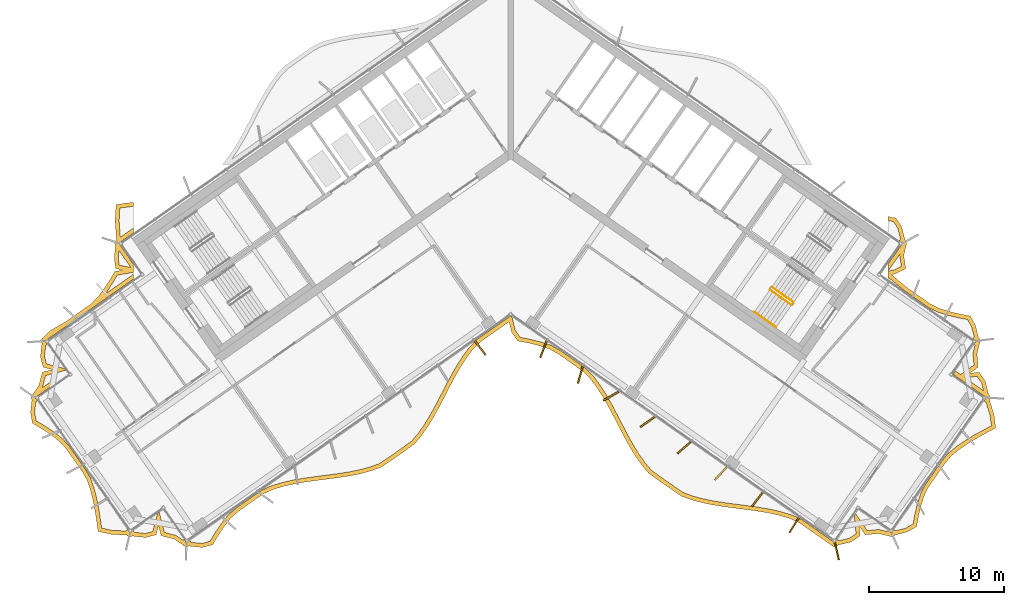
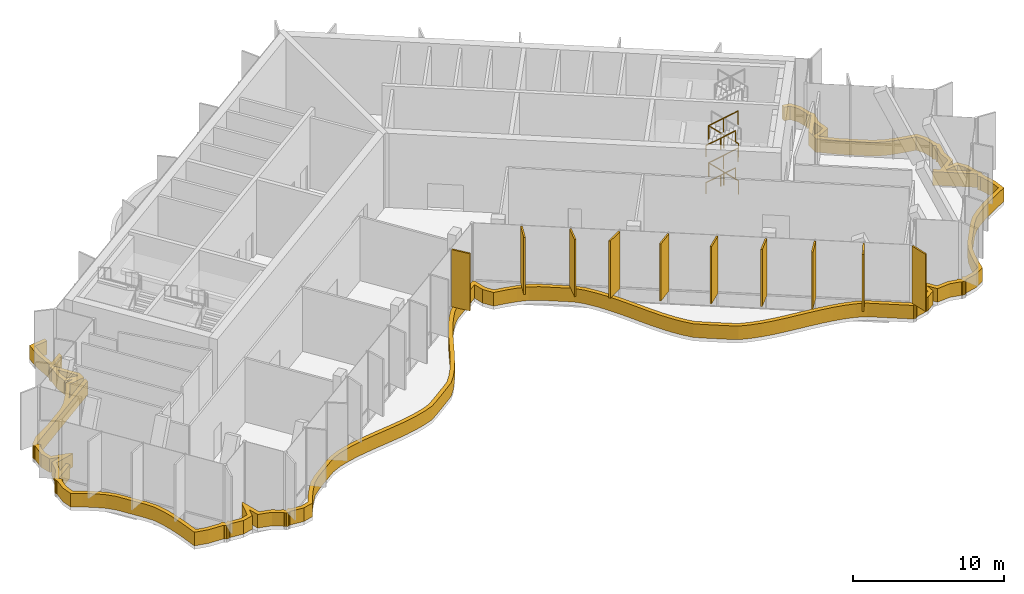
# One storey, part 19 of 22: 11 shading devices, 6 railings.
"""IFC4 building model written with IfcOpenShell, lengths in metres."""

from ifc_helpers import new_model, si_unit, direction, frame, origin, origin_2d, place, context, subcontext, project, spatial, polyline, rectangle, circle, outline, extrude, material, layer, layer_set, type_object, element, save


model = new_model("IFC4")

# Units and contexts
model_context = context("Model", 3, precision=1e-05, world=origin(), true_north=direction((0.0, 1.0)))
body_context = subcontext(model_context, "Body", "Model", "MODEL_VIEW")
ifc_project = project(units=[si_unit("LENGTHUNIT", "METRE"), si_unit("AREAUNIT", "SQUARE_METRE"), si_unit("VOLUMEUNIT", "CUBIC_METRE"), si_unit("PLANEANGLEUNIT", "RADIAN"), si_unit("MASSUNIT", "GRAM", prefix="KILO")], contexts=[model_context])

# Site, building, storey
site_placement = place(None, origin())
site = spatial("IfcSite", under=ifc_project, at=site_placement, CompositionType="ELEMENT")
building_placement = place(site_placement, origin())
building = spatial("IfcBuilding", under=site, at=building_placement, Name="Tel Ilan Convention Tower", CompositionType="ELEMENT")
storey_placement = place(building_placement, frame((0.0, 0.0, 219.39990234375)))
storey = spatial("IfcBuildingStorey", under=building, at=storey_placement, Name="L51", CompositionType="ELEMENT", Elevation=219.39990234375)

# Shading devices
ifc_material_1 = material(Name="Aluminium, bronze anodised", Category="aluminium")
ifc_layer_1 = layer(ifc_material_1, 0.1201171875)
ifc_layer_set_1 = layer_set([ifc_layer_1], Name="FIN BRONZE 1300x120")
shading_device_type_1 = type_object("IfcShadingDeviceType", Name="FIN BRONZE 1300x120", PredefinedType="USERDEFINED", material=ifc_layer_set_1)
for number, where, z_axis, x_axis, name in (
    (1, (-2.262451171875, -15.19775390625, 1.10009765625), (0.0, 0.0, 1.0), (0.612600545196, -0.790392669516, 0.0), "FIN"),
    (2, (2.419921875, -15.2998046875, 1.10009765625), (0.0, 0.0, 1.0), (-0.360177724803, -0.932883704733, 0.0), "FIN"),
    (3, (5.138671875, -17.188232421875, 1.10009765625), (0.0, 0.0, 1.0), (-0.268172612768, -0.963370878614, 0.0), "FIN"),
    (4, (7.408935546875, -18.75537109375, 1.10009765625), (0.0, 0.0, 1.0), (-0.866025403784, -0.5, 0.0), "FIN"),
    (5, (10.108154296875, -20.66796875, 1.10009765625), (0.0, 0.0, 1.0), (-0.813552070258, -0.581492071294, 0.0), "FIN"),
    (6, (12.8125, -22.576904296875, 1.10009765625), (0.0, 0.0, 1.0), (-0.753435896329, -0.657521368568, 0.0), "FIN"),
    (7, (15.521484375, -24.4814453125, 1.10009765625), (0.0, 0.0, 1.0), (-0.686241637865, -0.727373641577, 0.0), "FIN"),
    (8, (18.23486328125, -26.3818359375, 1.10009765625), (0.0, 0.0, 1.0), (-0.612600545196, -0.790392669516, 0.0), "FIN"),
    (9, (20.948486328125, -28.281982421875, 1.10009765625), (0.0, 0.0, 1.0), (-0.533204432798, -0.845986425922, 0.0), "FIN"),
    (10, (24.1025390625, -30.230224609375, 1.10009765625), (0.0, 0.0, 1.0), (0.221170268371, -0.975235208752, 0.0), "FIN"),
):
    element("IfcShadingDevice", number, at=place(storey_placement, frame(where, z_axis=z_axis, x_axis=x_axis)), inside=storey, type_object=shading_device_type_1, Name=name, ObjectType="FIN", PredefinedType="USERDEFINED", context=body_context, shape_type="SweptSolid", body=[
        extrude(rectangle(XDim=1.300048828125, YDim=0.1201171875, at=origin_2d()), origin(), (0.0, 0.0, 1.0), 4.6201171875),
    ])
ifc_material_2 = material(Name="Aluminium, bronze anodised", Category="aluminium")
ifc_layer_2 = layer(ifc_material_2, 0.300048828125)
ifc_layer_set_2 = layer_set([ifc_layer_2], Name="LOUVRE BAND 300x1100")
shading_device_type_2 = type_object("IfcShadingDeviceType", Name="LOUVRE BAND 300x1100", PredefinedType="USERDEFINED", material=ifc_layer_set_2)
shading_device_placement = place(storey_placement, origin())
element("IfcShadingDevice", 11, at=shading_device_placement, inside=storey, type_object=shading_device_type_2, Name="LOUVRE BAND 40.01", ObjectType="LOUVRE", PredefinedType="USERDEFINED", context=body_context, shape_type="SweptSolid", body=[
    extrude(outline(polyline([(-35.475341796875, -19.978515625), (-35.341064453125, -20.760498046875), (-34.66357421875, -21.162353515625), (-34.018310546875, -21.58642578125), (-33.419189453125, -22.043212890625), (-32.91015625, -22.562744140625), (-31.67529296875, -24.326416015625), (-31.311279296875, -24.947509765625), (-31.06982421875, -25.65478515625), (-30.877685546875, -26.396240234375), (-30.7255859375, -27.165771484375), (-30.602294921875, -27.95556640625), (-30.489501953125, -28.75244140625), (-29.54248046875, -28.965576171875), (-28.377685546875, -29.026123046875), (-28.3486328125, -29.0693359375), (-28.25146484375, -29.134521484375), (-28.13671875, -29.1572265625), (-28.021728515625, -29.134521484375), (-27.9677734375, -29.098388671875), (-26.975341796875, -29.2080078125), (-26.201416015625, -29.005615234375), (-26.022705078125, -28.324951171875), (-25.82763671875, -29.071533203125), (-24.87646484375, -29.3212890625), (-24.2041015625, -29.76611328125), (-24.199462890625, -29.7626953125), (-24.170654296875, -29.80615234375), (-24.0732421875, -29.87109375), (-23.95849609375, -29.89404296875), (-23.843505859375, -29.87109375), (-23.78955078125, -29.8349609375), (-22.79736328125, -29.94482421875), (-22.0234375, -29.742431640625), (-21.604248046875, -29.03369140625), (-21.15576171875, -28.366455078125), (-20.6708984375, -27.75146484375), (-20.100341796875, -27.2587890625), (-18.257568359375, -25.968505859375), (-17.560791015625, -25.65576171875), (-16.80419921875, -25.428955078125), (-16.01318359375, -25.2509765625), (-15.196044921875, -25.1103515625), (-14.362060546875, -24.994140625), (-12.68359375, -24.7763671875), (-11.859619140625, -24.645751953125), (-11.058837890625, -24.481689453125), (-10.2900390625, -24.272216796875), (-9.559814453125, -24.007568359375), (-8.935546875, -23.591796875), (-7.706787109375, -22.7314453125), (-7.102294921875, -22.287353515625), (-6.603515625, -21.692138671875), (-6.143798828125, -21.041259765625), (-5.7158203125, -20.344970703125), (-5.31103515625, -19.61572265625), (-4.5322265625, -18.11279296875), (-4.1376953125, -17.36865234375), (-3.726318359375, -16.64892578125), (-3.28857421875, -15.96630859375), (-2.81689453125, -15.332763671875), (-2.28515625, -14.784423828125), (-0.12109375, -13.269287109375), (0.067626953125, -14.029296875), (0.522216796875, -14.687255859375), (1.33154296875, -14.8388671875), (2.112060546875, -15.03173828125), (2.855712890625, -15.277099609375), (3.513916015625, -15.644775390625), (5.356689453125, -16.935302734375), (5.888671875, -17.48291015625), (6.36083984375, -18.1162109375), (6.798583984375, -18.798583984375), (7.2099609375, -19.5185546875), (7.6044921875, -20.262451171875), (8.38330078125, -21.765380859375), (8.7880859375, -22.494873046875), (9.2158203125, -23.191162109375), (9.675537109375, -23.84228515625), (10.174072265625, -24.437744140625), (10.778564453125, -24.882080078125), (12.007080078125, -25.742431640625), (12.631103515625, -26.15869140625), (13.361083984375, -26.423828125), (14.1298828125, -26.63330078125), (14.930419921875, -26.79736328125), (15.75439453125, -26.92822265625), (17.432861328125, -27.14599609375), (18.26708984375, -27.26220703125), (19.084228515625, -27.402587890625), (19.875244140625, -27.580322265625), (20.632080078125, -27.80712890625), (21.3291015625, -28.119140625), (23.786376953125, -29.83984375), (23.78955078125, -29.8349609375), (23.843505859375, -29.87109375), (23.95849609375, -29.89404296875), (24.0732421875, -29.87109375), (24.170654296875, -29.80615234375), (24.199462890625, -29.7626953125), (25.16943359375, -29.5263671875), (25.82763671875, -29.071533203125), (25.7626953125, -28.370849609375), (26.201416015625, -29.005615234375), (27.1806640625, -28.9150390625), (27.964599609375, -29.10302734375), (27.9677734375, -29.098388671875), (28.021728515625, -29.134521484375), (28.13671875, -29.1572265625), (28.25146484375, -29.134521484375), (28.3486328125, -29.0693359375), (28.377685546875, -29.026123046875), (29.301025390625, -28.79638671875), (29.989990234375, -28.40283203125), (30.135498046875, -27.628662109375), (30.3134765625, -26.877197265625), (30.537841796875, -26.158203125), (30.85205078125, -25.502197265625), (32.0869140625, -23.738525390625), (32.546142578125, -23.18408203125), (33.1279296875, -22.71533203125), (33.759033203125, -22.28125), (34.43017578125, -21.875), (35.13037109375, -21.489013671875), (35.840576171875, -21.1103515625), (35.717041015625, -20.147705078125), (35.375244140625, -19.032470703125), (35.411376953125, -18.978515625), (35.434326171875, -18.863525390625), (35.411376953125, -18.748779296875), (35.346435546875, -18.6513671875), (35.302978515625, -18.62255859375), (35.066650390625, -17.652587890625), (34.61181640625, -16.994384765625), (33.9111328125, -17.059326171875), (34.5458984375, -16.62060546875), (34.455322265625, -15.641357421875), (34.643310546875, -14.857421875), (34.638671875, -14.854248046875), (34.674560546875, -14.80029296875), (34.697509765625, -14.685546875), (34.674560546875, -14.570556640625), (34.609619140625, -14.473388671875), (34.56640625, -14.4443359375), (34.3369140625, -13.5224609375), (33.945068359375, -12.832763671875), (33.172119140625, -12.68701171875), (32.421630859375, -12.509521484375), (31.703369140625, -12.285888671875), (31.047119140625, -11.973388671875), (29.2861328125, -10.740234375), (28.730712890625, -10.28369140625), (28.18212890625, -9.817626953125), (28.123291015625, -9.789794921875), (28.491455078125, -9.6953125), (29.19384765625, -9.332763671875), (29.044921875, -8.373779296875), (29.20458984375, -7.631103515625), (29.199951171875, -7.6279296875), (29.236083984375, -7.57373046875), (29.2587890625, -7.458984375), (29.236083984375, -7.34423828125), (29.1708984375, -7.246826171875), (29.127685546875, -7.218017578125), (28.894287109375, -6.267333984375), (28.465576171875, -5.595458984375), (27.874755859375, -5.485595703125), (27.874755859375, -5.790771484375), (28.28271484375, -5.86669921875), (28.614990234375, -6.387451171875), (28.806640625, -7.1533203125), (28.713134765625, -7.286865234375), (28.958740234375, -7.458984375), (27.874755859375, -9.007080078125), (27.874755859375, -9.530029296875), (28.76171875, -8.263671875), (28.73974609375, -8.364990234375), (28.8642578125, -9.165283203125), (28.3837890625, -9.413330078125), (27.874755859375, -9.5439453125), (27.874755859375, -10.004150390625), (28.01806640625, -10.072021484375), (28.538330078125, -10.513916015625), (29.1044921875, -10.979248046875), (30.895751953125, -12.2333984375), (31.593505859375, -12.56591796875), (32.34228515625, -12.799072265625), (33.10986328125, -12.980712890625), (33.7529296875, -13.101806640625), (34.05615234375, -13.635498046875), (34.244873046875, -14.380126953125), (34.15185546875, -14.513427734375), (34.3974609375, -14.685546875), (34.22607421875, -14.931640625), (34.303955078125, -14.986083984375), (34.15185546875, -15.61962890625), (34.23095703125, -16.473388671875), (33.23095703125, -17.164794921875), (32.848876953125, -16.897216796875), (32.6767578125, -17.142822265625), (35.13427734375, -18.863525390625), (34.962158203125, -19.109375), (35.123046875, -19.221923828125), (35.422607421875, -20.210693359375), (35.5166015625, -20.943115234375), (34.280029296875, -21.615234375), (33.59619140625, -22.029052734375), (32.94873046875, -22.474609375), (32.33447265625, -22.96923828125), (31.84814453125, -23.556640625), (30.59228515625, -25.350341796875), (30.258056640625, -26.04833984375), (30.024169921875, -26.7978515625), (29.842041015625, -27.56640625), (29.720703125, -28.211181640625), (29.187744140625, -28.515625), (28.44189453125, -28.704833984375), (28.30859375, -28.611572265625), (28.13671875, -28.857177734375), (27.890380859375, -28.685791015625), (27.8359375, -28.763671875), (27.202392578125, -28.61181640625), (26.3486328125, -28.690673828125), (25.475341796875, -27.427490234375), (25.385986328125, -27.555419921875), (25.5126953125, -28.924560546875), (25.044189453125, -29.24853515625), (24.264404296875, -29.44189453125), (24.13037109375, -29.34814453125), (23.95849609375, -29.593994140625), (21.477783203125, -27.85693359375), (20.73681640625, -27.525390625), (19.951416015625, -27.2900390625), (19.142578125, -27.108154296875), (18.313232421875, -26.9658203125), (17.472412109375, -26.8486328125), (15.797607421875, -26.63134765625), (14.984130859375, -26.502197265625), (14.199462890625, -26.34130859375), (13.451904296875, -26.137451171875), (12.767578125, -25.88916015625), (12.176513671875, -25.494873046875), (10.953369140625, -24.638427734375), (10.380859375, -24.217529296875), (9.91357421875, -23.6591796875), (9.466552734375, -23.02587890625), (9.047119140625, -22.343505859375), (8.6474609375, -21.623291015625), (7.870361328125, -20.123779296875), (7.472900390625, -19.373779296875), (7.05517578125, -18.64306640625), (6.607666015625, -17.945556640625), (6.11767578125, -17.2880859375), (5.55224609375, -16.705810546875), (3.67333984375, -15.390380859375), (2.97705078125, -15.001220703125), (2.195068359375, -14.743408203125), (1.395263671875, -14.54541015625), (0.69873046875, -14.4150390625), (0.345458984375, -13.90380859375), (0.092041015625, -12.882568359375), (0.0, -12.818115234375), (-2.480712890625, -14.55517578125), (-3.045654296875, -15.137939453125), (-3.53564453125, -15.795654296875), (-3.98291015625, -16.493408203125), (-4.400634765625, -17.22412109375), (-4.798095703125, -17.973876953125), (-5.5751953125, -19.473388671875), (-5.974853515625, -20.193603515625), (-6.394287109375, -20.8759765625), (-6.841552734375, -21.5087890625), (-7.30908203125, -22.067138671875), (-7.881591796875, -22.487548828125), (-9.104736328125, -23.343994140625), (-9.696044921875, -23.73779296875), (-10.380615234375, -23.986083984375), (-11.12841796875, -24.189697265625), (-11.913330078125, -24.350341796875), (-12.726806640625, -24.4794921875), (-14.401611328125, -24.69677734375), (-15.2421875, -24.81396484375), (-16.07177734375, -24.95654296875), (-16.88037109375, -25.138427734375), (-17.665771484375, -25.3740234375), (-18.40625, -25.706298828125), (-20.284912109375, -27.021728515625), (-20.888671875, -27.543212890625), (-21.3984375, -28.189697265625), (-21.85791015625, -28.87353515625), (-22.21875, -29.4833984375), (-22.820068359375, -29.640625), (-23.618896484375, -29.555908203125), (-23.712158203125, -29.422607421875), (-23.95849609375, -29.593994140625), (-24.13037109375, -29.34814453125), (-24.208984375, -29.403076171875), (-24.75244140625, -29.043701171875), (-25.581787109375, -28.825927734375), (-25.97021484375, -27.34033203125), (-26.097900390625, -27.4296875), (-26.447021484375, -28.759765625), (-26.998291015625, -28.904052734375), (-27.797119140625, -28.819091796875), (-27.890380859375, -28.685791015625), (-28.13671875, -28.857177734375), (-28.30859375, -28.611572265625), (-28.469482421875, -28.72412109375), (-29.501220703125, -28.66748046875), (-30.221435546875, -28.50537109375), (-30.429931640625, -27.113525390625), (-30.585205078125, -26.329345703125), (-30.7822265625, -25.568359375), (-31.037109375, -24.822021484375), (-31.422607421875, -24.164306640625), (-32.6787109375, -22.37060546875), (-33.22021484375, -21.81787109375), (-33.8447265625, -21.341552734375), (-34.50439453125, -20.90771484375), (-35.06884765625, -20.5732421875), (-35.1728515625, -19.968017578125), (-35.09521484375, -19.20263671875), (-34.962158203125, -19.109375), (-35.13427734375, -18.863525390625), (-33.700927734375, -17.860107421875), (-33.873046875, -17.6142578125), (-34.63623046875, -18.148681640625), (-34.583984375, -18.069580078125), (-34.3662109375, -17.240234375), (-32.880615234375, -16.851806640625), (-32.969970703125, -16.72412109375), (-34.300048828125, -16.375), (-34.444091796875, -15.82373046875), (-34.359375, -15.02490234375), (-34.22607421875, -14.931640625), (-34.3974609375, -14.685546875), (-27.874755859375, -10.1181640625), (-27.874755859375, -9.751953125), (-29.960693359375, -11.21240234375), (-29.828369140625, -11.038818359375), (-29.395263671875, -10.379638671875), (-29.0615234375, -9.81689453125), (-27.874755859375, -9.615966796875), (-27.874755859375, -9.007080078125), (-28.958740234375, -7.458984375), (-27.874755859375, -6.699951171875), (-27.874755859375, -6.333740234375), (-28.84423828125, -7.0126953125), (-28.93115234375, -5.783447265625), (-28.876953125, -4.86572265625), (-27.874755859375, -4.735107421875), (-27.874755859375, -4.4326171875), (-29.161865234375, -4.60107421875), (-29.231689453125, -5.78515625), (-29.127685546875, -7.218017578125), (-29.1708984375, -7.246826171875), (-29.236083984375, -7.34423828125), (-29.2587890625, -7.458984375), (-29.236083984375, -7.57373046875), (-29.199951171875, -7.6279296875), (-29.29443359375, -8.548583984375), (-29.19384765625, -9.332763671875), (-28.642333984375, -9.441650390625), (-29.24853515625, -9.544189453125), (-29.649658203125, -10.220703125), (-30.0732421875, -10.865234375), (-30.529296875, -11.463623046875), (-31.047119140625, -11.973388671875), (-32.808349609375, -13.20654296875), (-33.42724609375, -13.572265625), (-34.052734375, -13.928466796875), (-34.569580078125, -14.439697265625), (-34.56640625, -14.4443359375), (-34.609619140625, -14.473388671875), (-34.674560546875, -14.570556640625), (-34.697509765625, -14.685546875), (-34.674560546875, -14.80029296875), (-34.638671875, -14.854248046875), (-34.748291015625, -15.8466796875), (-34.5458984375, -16.62060546875), (-33.865234375, -16.79931640625), (-34.61181640625, -16.994384765625), (-34.861572265625, -17.945556640625), (-35.306396484375, -18.617919921875), (-35.302978515625, -18.62255859375), (-35.346435546875, -18.6513671875), (-35.411376953125, -18.748779296875), (-35.434326171875, -18.863525390625), (-35.411376953125, -18.978515625), (-35.375244140625, -19.032470703125), (-35.475341796875, -19.978515625)]), holes=[polyline([(34.46484375, -17.309326171875), (34.788818359375, -17.77783203125), (34.93212890625, -18.35595703125), (33.5576171875, -17.393310546875), (34.46484375, -17.309326171875)]), polyline([(-28.992431640625, -8.5439453125), (-28.940185546875, -8.0087890625), (-28.072265625, -9.248291015625), (-28.923828125, -9.080322265625), (-28.992431640625, -8.5439453125)])]), origin(), (0.0, 0.0, 1.0), 1.10009765625),
])

# Railings
ifc_material_3 = material(Name="Stainless Steel Grade 316", Category="steel")
railing_type_1 = type_object("IfcRailingType", Name="Stainless Steel Stair Guard 1100 mm", PredefinedType="GUARDRAIL", material=ifc_material_3)
railing_1_placement = place(storey_placement, frame((20.89697265625, -11.824462890625, 0.1875)))
element("IfcRailing", 12, at=railing_1_placement, inside=storey, type_object=railing_type_1, Name="L51 S4 stair guard 1", PredefinedType="GUARDRAIL", context=body_context, shape_type="SweptSolid", body=[
    extrude(circle(Radius=0.02392578125, at=origin_2d()), frame((0.0, 0.0, 1.076171875), z_axis=(-0.680615610069, 0.476617226942, 0.556415681224), x_axis=(-0.573612813533, -0.819126571508, 0.0)), (0.0, 0.0, 1.0), 2.35888671875),
    extrude(circle(Radius=0.02099609375, at=origin_2d()), origin(), (0.0, 0.0, 1.0), 1.052001953125),
    extrude(circle(Radius=0.02099609375, at=origin_2d()), frame((-0.802734375, 0.56201171875, 0.65625)), (0.0, 0.0, 1.0), 1.052001953125),
    extrude(circle(Radius=0.02099609375, at=origin_2d()), frame((-1.60546875, 1.124267578125, 1.3125)), (0.0, 0.0, 1.0), 1.052001953125),
])
railing_2_placement = place(storey_placement, frame((19.14794921875, -10.905029296875, 1.6875)))
element("IfcRailing", 13, at=railing_2_placement, inside=storey, type_object=railing_type_1, Name="L51 S4 stair guard 3", PredefinedType="GUARDRAIL", context=body_context, shape_type="SweptSolid", body=[
    extrude(circle(Radius=0.02392578125, at=origin_2d()), frame((0.0, 0.0, 1.076171875), z_axis=(0.680671159075, -0.476583653268, 0.55637648642), x_axis=(0.573554290663, 0.819167550421, 0.0)), (0.0, 0.0, 1.0), 2.359130859375),
    extrude(circle(Radius=0.02099609375, at=origin_2d()), origin(), (0.0, 0.0, 1.0), 1.052001953125),
    extrude(circle(Radius=0.02099609375, at=origin_2d()), frame((0.802734375, -0.56201171875, 0.65625)), (0.0, 0.0, 1.0), 1.052001953125),
    extrude(circle(Radius=0.02099609375, at=origin_2d()), frame((1.605712890625, -1.124267578125, 1.3125)), (0.0, 0.0, 1.0), 1.052001953125),
])
railing_3_placement = place(storey_placement, frame((20.89697265625, -11.824462890625, 3.1875)))
element("IfcRailing", 14, at=railing_3_placement, inside=storey, type_object=railing_type_1, Name="L51 S4 stair guard 5", PredefinedType="GUARDRAIL", context=body_context, shape_type="SweptSolid", body=[
    extrude(circle(Radius=0.02392578125, at=origin_2d()), frame((0.0, 0.0, 1.076171875), z_axis=(-0.680615610069, 0.476617226942, 0.556415681224), x_axis=(-0.573612813533, -0.819126571508, 0.0)), (0.0, 0.0, 1.0), 2.35888671875),
    extrude(circle(Radius=0.02099609375, at=origin_2d()), origin(), (0.0, 0.0, 1.0), 1.052001953125),
    extrude(circle(Radius=0.02099609375, at=origin_2d()), frame((-0.802734375, 0.56201171875, 0.65625)), (0.0, 0.0, 1.0), 1.052001953125),
    extrude(circle(Radius=0.02099609375, at=origin_2d()), frame((-1.60546875, 1.124267578125, 1.3125)), (0.0, 0.0, 1.0), 1.052001953125),
])
railing_4_placement = place(storey_placement, frame((19.14794921875, -10.905029296875, 4.6875)))
element("IfcRailing", 15, at=railing_4_placement, inside=storey, type_object=railing_type_1, Name="L51 S4 stair guard 7", PredefinedType="GUARDRAIL", context=body_context, shape_type="SweptSolid", body=[
    extrude(circle(Radius=0.02392578125, at=origin_2d()), frame((0.0, 0.0, 1.076171875), z_axis=(0.680671159075, -0.476583653268, 0.55637648642), x_axis=(0.573554290663, 0.819167550421, 0.0)), (0.0, 0.0, 1.0), 2.359130859375),
    extrude(circle(Radius=0.02099609375, at=origin_2d()), origin(), (0.0, 0.0, 1.0), 1.052001953125),
    extrude(circle(Radius=0.02099609375, at=origin_2d()), frame((0.802734375, -0.56201171875, 0.65625)), (0.0, 0.0, 1.0), 1.052001953125),
    extrude(circle(Radius=0.02099609375, at=origin_2d()), frame((1.605712890625, -1.124267578125, 1.3125)), (0.0, 0.0, 1.0), 1.052001953125),
])
ifc_material_4 = material(Name="Stainless Steel Grade 316", Category="steel")
railing_type_2 = type_object("IfcRailingType", Name="Stainless Steel Stair Handrail 900 mm", PredefinedType="HANDRAIL", material=ifc_material_4)
for number, where, name in (
    (16, (18.0009765625, -12.543212890625, 1.6875), "L51 S4 stair handrail 2"),
    (17, (18.0009765625, -12.543212890625, 4.6875), "L51 S4 stair handrail 4"),
):
    element("IfcRailing", number, at=place(storey_placement, frame(where)), inside=storey, type_object=railing_type_2, Name=name, PredefinedType="HANDRAIL", context=body_context, shape_type="SweptSolid", body=[
        extrude(circle(Radius=0.02392578125, at=origin_2d()), frame((0.0, 0.0, 0.8759765625), z_axis=(0.680615610069, -0.476617226942, 0.556415681224), x_axis=(0.573612813533, 0.819126571508, 0.0)), (0.0, 0.0, 1.0), 2.35888671875),
        extrude(circle(Radius=0.02099609375, at=origin_2d()), origin(), (0.0, 0.0, 1.0), 0.851806640625),
        extrude(circle(Radius=0.02099609375, at=origin_2d()), frame((0.802734375, -0.56201171875, 0.65625)), (0.0, 0.0, 1.0), 0.851806640625),
        extrude(circle(Radius=0.02099609375, at=origin_2d()), frame((1.60546875, -1.124267578125, 1.3125)), (0.0, 0.0, 1.0), 0.851806640625),
    ])

save(model, "model.ifc")
